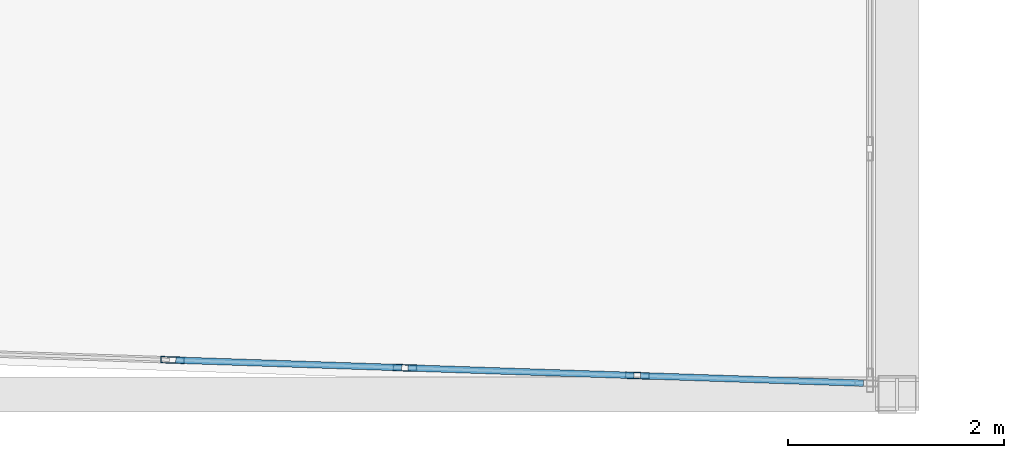
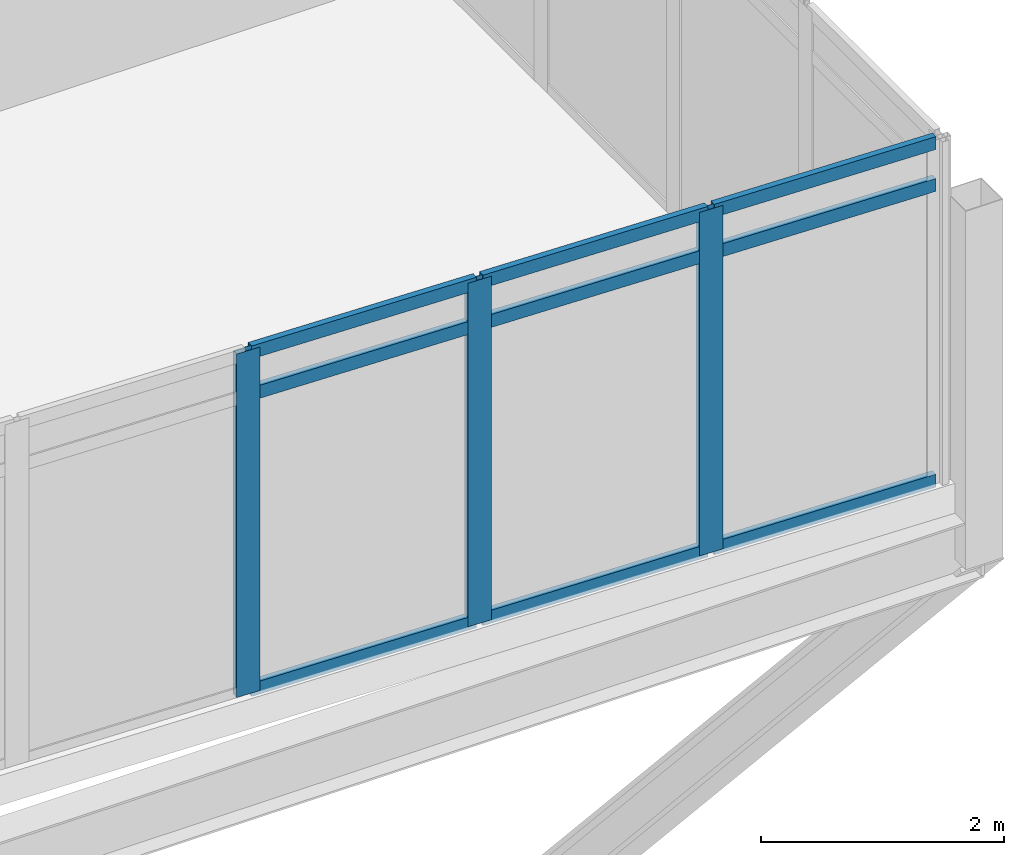
# One storey, part 9 of 38: 12 members, 1 element without a shape of its own.
"""IFC4 building model written with IfcOpenShell, lengths in metres."""

from ifc_helpers import new_model, si_unit, direction, frame, origin, origin_2d, place, context, subcontext, project, spatial, hollow_rectangle, extrude, material, material_profile, profile_set, type_object, element, aggregate, save


model = new_model("IFC4")

# Units and contexts
model_context = context("Model", 3, precision=1e-05, world=origin(), true_north=direction((0.0, 1.0)))
body_context = subcontext(model_context, "Body", "Model", "MODEL_VIEW")
ifc_project = project(units=[si_unit("LENGTHUNIT", "METRE"), si_unit("AREAUNIT", "SQUARE_METRE"), si_unit("VOLUMEUNIT", "CUBIC_METRE"), si_unit("PLANEANGLEUNIT", "RADIAN"), si_unit("MASSUNIT", "GRAM", prefix="KILO")], contexts=[model_context])

# Site, building, storey
site_placement = place(None, origin())
site = spatial("IfcSite", under=ifc_project, at=site_placement, CompositionType="ELEMENT")
building_placement = place(site_placement, origin())
building = spatial("IfcBuilding", under=site, at=building_placement, Name="Ostrander Bayou Hotel Tower", CompositionType="ELEMENT")
storey_placement = place(building_placement, frame((0.0, 0.0, 194.5)))
storey = spatial("IfcBuildingStorey", under=building, at=storey_placement, Name="L48", CompositionType="ELEMENT", Elevation=194.5)

# Curtain wall, members
ifc_material_1 = material(Name="Aluminium and clear glass", Category="aluminium")
curtain_wall_type = type_object("IfcCurtainWallType", Name="CW-BAR glazed wall", PredefinedType="NOTDEFINED", material=ifc_material_1)
curtain_wall_placement = place(storey_placement, origin())
curtain_wall = element("IfcCurtainWall", 1, at=curtain_wall_placement, inside=storey, type_object=curtain_wall_type, Name="CW-BAR L48:SB4S:T", PredefinedType="NOTDEFINED")
ifc_material_2 = material(Name="Aluminium", Category="aluminium")
ifc_material_profile_1 = material_profile(ifc_material_2, hollow_rectangle(XDim=0.06005859375, YDim=0.219970703125, WallThickness=0.00390625, at=origin_2d()))
ifc_profile_set_1 = profile_set([ifc_material_profile_1], Name="Aluminium")
member_type_1 = type_object("IfcMemberType", Name="CW-BR mullion 60 x 220 mm", PredefinedType="MULLION", material=ifc_profile_set_1)
member_1_placement = place(storey_placement, frame((5.3896484375, -29.83056640625, 0.0), z_axis=(0.0, 0.0, 1.0), x_axis=(0.03350511268, 0.999438546097, 0.0)))
member_1 = element("IfcMember", 2, at=member_1_placement, type_object=member_type_1, Name="CW-BAR mullion 9", PredefinedType="MULLION", context=body_context, shape_type="SweptSolid", body=[
    extrude(hollow_rectangle(XDim=0.06005859375, YDim=0.219970703125, WallThickness=0.00390625, at=origin_2d()), origin(), (0.0, 0.0, 1.0), 3.449951171875),
])
member_2_placement = place(storey_placement, frame((7.54541015625, -29.903076171875, 0.0), z_axis=(0.0, 0.0, 1.0), x_axis=(0.03350511268, 0.999438546097, 0.0)))
member_2 = element("IfcMember", 3, at=member_2_placement, type_object=member_type_1, Name="CW-BAR mullion 10", PredefinedType="MULLION", context=body_context, shape_type="SweptSolid", body=[
    extrude(hollow_rectangle(XDim=0.06005859375, YDim=0.219970703125, WallThickness=0.00390625, at=origin_2d()), origin(), (0.0, 0.0, 1.0), 3.449951171875),
])
member_3_placement = place(storey_placement, frame((9.701416015625, -29.975341796875, 0.0), z_axis=(0.0, 0.0, 1.0), x_axis=(0.03350511268, 0.999438546097, 0.0)))
member_3 = element("IfcMember", 4, at=member_3_placement, type_object=member_type_1, Name="CW-BAR mullion 11", PredefinedType="MULLION", context=body_context, shape_type="SweptSolid", body=[
    extrude(hollow_rectangle(XDim=0.06005859375, YDim=0.219970703125, WallThickness=0.00390625, at=origin_2d()), origin(), (0.0, 0.0, 1.0), 3.449951171875),
])
ifc_material_3 = material(Name="Aluminium", Category="aluminium")
ifc_material_profile_2 = material_profile(ifc_material_3, hollow_rectangle(XDim=0.06005859375, YDim=0.1298828125, WallThickness=0.00390625, at=origin_2d()))
ifc_profile_set_2 = profile_set([ifc_material_profile_2], Name="Aluminium")
member_type_2 = type_object("IfcMemberType", Name="CW-BR transom 60 x 130 mm", PredefinedType="USERDEFINED", material=ifc_profile_set_2)
member_4_placement = place(storey_placement, frame((5.419677734375, -29.831787109375, 0.030029296875), z_axis=(0.999441672059, -0.033411736736, 0.0), x_axis=(0.033411736736, 0.999441672059, 0.0)))
member_4 = element("IfcMember", 5, at=member_4_placement, type_object=member_type_2, Name="CW-BAR transom 9.1", ObjectType="TRANSOM", PredefinedType="USERDEFINED", context=body_context, shape_type="SweptSolid", body=[
    extrude(hollow_rectangle(XDim=0.06005859375, YDim=0.1298828125, WallThickness=0.00390625, at=origin_2d()), origin(), (0.0, 0.0, 1.0), 2.09716796875),
])
member_5_placement = place(storey_placement, frame((5.419677734375, -29.831787109375, 3.0), z_axis=(0.999441672059, -0.033411736736, 0.0), x_axis=(0.033411736736, 0.999441672059, 0.0)))
member_5 = element("IfcMember", 6, at=member_5_placement, type_object=member_type_2, Name="CW-BAR transom 9.2", ObjectType="TRANSOM", PredefinedType="USERDEFINED", context=body_context, shape_type="SweptSolid", body=[
    extrude(hollow_rectangle(XDim=0.06005859375, YDim=0.1298828125, WallThickness=0.00390625, at=origin_2d()), origin(), (0.0, 0.0, 1.0), 2.09716796875),
])
member_6_placement = place(storey_placement, frame((5.419677734375, -29.831787109375, 3.419921875), z_axis=(0.999441672059, -0.033411736736, 0.0), x_axis=(0.033411736736, 0.999441672059, 0.0)))
member_6 = element("IfcMember", 7, at=member_6_placement, type_object=member_type_2, Name="CW-BAR transom 9.3", ObjectType="TRANSOM", PredefinedType="USERDEFINED", context=body_context, shape_type="SweptSolid", body=[
    extrude(hollow_rectangle(XDim=0.06005859375, YDim=0.1298828125, WallThickness=0.00390625, at=origin_2d()), origin(), (0.0, 0.0, 1.0), 2.09716796875),
])
member_7_placement = place(storey_placement, frame((7.575439453125, -29.904052734375, 0.030029296875), z_axis=(0.999441672059, -0.033411736736, 0.0), x_axis=(0.033411736736, 0.999441672059, 0.0)))
member_7 = element("IfcMember", 8, at=member_7_placement, type_object=member_type_2, Name="CW-BAR transom 10.1", ObjectType="TRANSOM", PredefinedType="USERDEFINED", context=body_context, shape_type="SweptSolid", body=[
    extrude(hollow_rectangle(XDim=0.06005859375, YDim=0.1298828125, WallThickness=0.00390625, at=origin_2d()), origin(), (0.0, 0.0, 1.0), 2.09716796875),
])
member_8_placement = place(storey_placement, frame((7.575439453125, -29.904052734375, 3.0), z_axis=(0.999441672059, -0.033411736736, 0.0), x_axis=(0.033411736736, 0.999441672059, 0.0)))
member_8 = element("IfcMember", 9, at=member_8_placement, type_object=member_type_2, Name="CW-BAR transom 10.2", ObjectType="TRANSOM", PredefinedType="USERDEFINED", context=body_context, shape_type="SweptSolid", body=[
    extrude(hollow_rectangle(XDim=0.06005859375, YDim=0.1298828125, WallThickness=0.00390625, at=origin_2d()), origin(), (0.0, 0.0, 1.0), 2.09716796875),
])
member_9_placement = place(storey_placement, frame((7.575439453125, -29.904052734375, 3.419921875), z_axis=(0.999441672059, -0.033411736736, 0.0), x_axis=(0.033411736736, 0.999441672059, 0.0)))
member_9 = element("IfcMember", 10, at=member_9_placement, type_object=member_type_2, Name="CW-BAR transom 10.3", ObjectType="TRANSOM", PredefinedType="USERDEFINED", context=body_context, shape_type="SweptSolid", body=[
    extrude(hollow_rectangle(XDim=0.06005859375, YDim=0.1298828125, WallThickness=0.00390625, at=origin_2d()), origin(), (0.0, 0.0, 1.0), 2.09716796875),
])
member_10_placement = place(storey_placement, frame((9.7314453125, -29.976318359375, 0.030029296875), z_axis=(0.999441098501, -0.033428889124, 0.0), x_axis=(0.033428889124, 0.999441098501, 0.0)))
member_10 = element("IfcMember", 11, at=member_10_placement, type_object=member_type_2, Name="CW-BAR transom 11.1", ObjectType="TRANSOM", PredefinedType="USERDEFINED", context=body_context, shape_type="SweptSolid", body=[
    extrude(hollow_rectangle(XDim=0.06005859375, YDim=0.1298828125, WallThickness=0.00390625, at=origin_2d()), origin(), (0.0, 0.0, 1.0), 2.06689453125),
])
member_11_placement = place(storey_placement, frame((9.7314453125, -29.976318359375, 3.0), z_axis=(0.999441098501, -0.033428889124, 0.0), x_axis=(0.033428889124, 0.999441098501, 0.0)))
member_11 = element("IfcMember", 12, at=member_11_placement, type_object=member_type_2, Name="CW-BAR transom 11.2", ObjectType="TRANSOM", PredefinedType="USERDEFINED", context=body_context, shape_type="SweptSolid", body=[
    extrude(hollow_rectangle(XDim=0.06005859375, YDim=0.1298828125, WallThickness=0.00390625, at=origin_2d()), origin(), (0.0, 0.0, 1.0), 2.06689453125),
])
member_12_placement = place(storey_placement, frame((9.7314453125, -29.976318359375, 3.419921875), z_axis=(0.999441098501, -0.033428889124, 0.0), x_axis=(0.033428889124, 0.999441098501, 0.0)))
member_12 = element("IfcMember", 13, at=member_12_placement, type_object=member_type_2, Name="CW-BAR transom 11.3", ObjectType="TRANSOM", PredefinedType="USERDEFINED", context=body_context, shape_type="SweptSolid", body=[
    extrude(hollow_rectangle(XDim=0.06005859375, YDim=0.1298828125, WallThickness=0.00390625, at=origin_2d()), origin(), (0.0, 0.0, 1.0), 2.06689453125),
])
aggregate(curtain_wall, [member_1, member_2, member_3, member_4, member_5, member_6, member_7, member_8, member_9, member_10, member_11, member_12])

save(model, "model.ifc")
